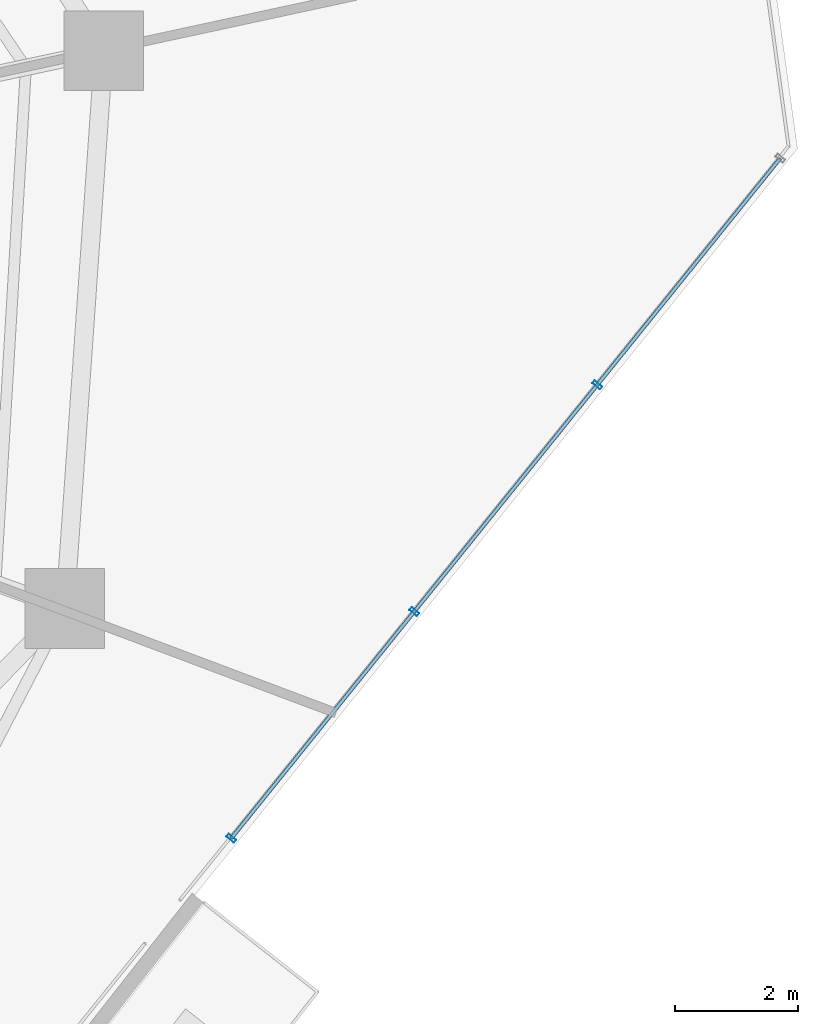
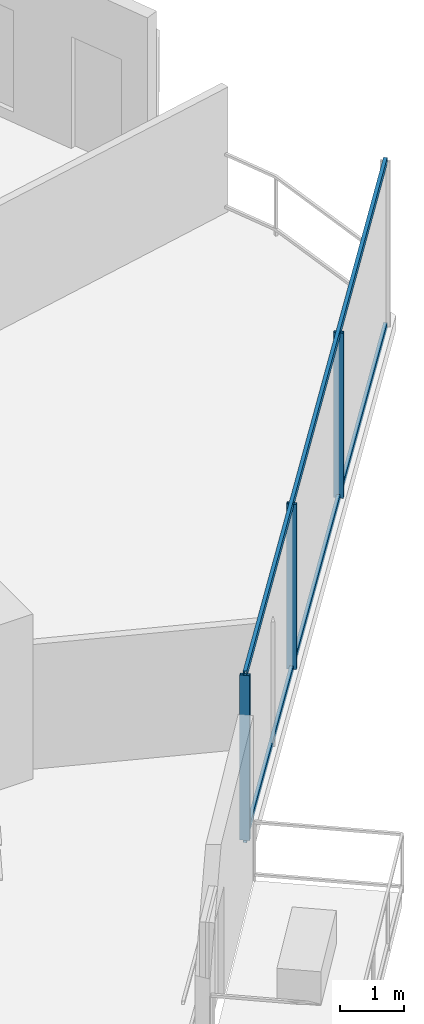
# One storey, part 13 of 32: 5 members, 1 element without a shape of its own.
"""IFC4 building model written with IfcOpenShell, lengths in metres."""

from ifc_helpers import new_model, si_unit, direction, frame, origin, origin_2d, place, context, subcontext, project, spatial, hollow_rectangle, extrude, material, layer, layer_set, material_profile, profile_set, type_object, element, aggregate, save


model = new_model("IFC4")

# Units and contexts
model_context = context("Model", 3, precision=1e-05, world=origin(), true_north=direction((0.0, 1.0)))
body_context = subcontext(model_context, "Body", "Model", "MODEL_VIEW")
ifc_project = project(units=[si_unit("LENGTHUNIT", "METRE"), si_unit("AREAUNIT", "SQUARE_METRE"), si_unit("VOLUMEUNIT", "CUBIC_METRE"), si_unit("PLANEANGLEUNIT", "RADIAN"), si_unit("MASSUNIT", "GRAM", prefix="KILO")], contexts=[model_context])

# Site, building, storey
site_placement = place(None, origin())
site = spatial("IfcSite", under=ifc_project, at=site_placement, CompositionType="ELEMENT")
building_placement = place(site_placement, origin())
building = spatial("IfcBuilding", under=site, at=building_placement, Name="Qarnah Convention Tower", CompositionType="ELEMENT")
storey_placement = place(building_placement, frame((0.0, 0.0, 37.35009765625)))
storey = spatial("IfcBuildingStorey", under=building, at=storey_placement, Name="L08", CompositionType="ELEMENT", Elevation=37.35009765625)

# Curtain wall, members
ifc_material_1 = material(Name="Tempered Low-E dark glass", Category="glass")
ifc_layer = layer(ifc_material_1, 0.16796875)
ifc_layer_set = layer_set([ifc_layer], Name="Tempered Low-E dark glass")
curtain_wall_type = type_object("IfcCurtainWallType", Name="CWS-01", PredefinedType="NOTDEFINED", material=ifc_layer_set)
curtain_wall_placement = place(storey_placement, origin())
curtain_wall = element("IfcCurtainWall", 1, at=curtain_wall_placement, inside=storey, type_object=curtain_wall_type, Name="L08 unitised curtain wall CW-L08-F3", PredefinedType="NOTDEFINED")
ifc_material_2 = material(Name="Black anodised aluminium", Category="aluminium")
ifc_material_profile_1 = material_profile(ifc_material_2, hollow_rectangle(XDim=0.06005859375, YDim=0.159912109375, WallThickness=0.00390625, at=origin_2d()), Name="MUL-60X160")
ifc_profile_set_1 = profile_set([ifc_material_profile_1], Name="Black anodised aluminium")
member_type_1 = type_object("IfcMemberType", Name="MUL-T1", PredefinedType="MULLION", material=ifc_profile_set_1)
member_1_placement = place(storey_placement, frame((61.4404296875, 24.388427734375, 0.0), z_axis=(0.0, 0.0, 1.0), x_axis=(-0.628142905709, -0.778097995119, 0.0)))
member_1 = element("IfcMember", 2, at=member_1_placement, type_object=member_type_1, Name="CW-L08-F3 mullion 2", PredefinedType="MULLION", context=body_context, shape_type="SweptSolid", body=[
    extrude(hollow_rectangle(XDim=0.06005859375, YDim=0.159912109375, WallThickness=0.00390625, at=origin_2d()), origin(), (0.0, 0.0, 1.0), 3.169921875),
])
member_2_placement = place(storey_placement, frame((58.45361328125, 20.688720703125, 0.0), z_axis=(0.0, 0.0, 1.0), x_axis=(-0.628142905709, -0.778097995119, 0.0)))
member_2 = element("IfcMember", 3, at=member_2_placement, type_object=member_type_1, Name="CW-L08-F3 mullion 3", PredefinedType="MULLION", context=body_context, shape_type="SweptSolid", body=[
    extrude(hollow_rectangle(XDim=0.06005859375, YDim=0.159912109375, WallThickness=0.00390625, at=origin_2d()), origin(), (0.0, 0.0, 1.0), 3.169921875),
])
member_3_placement = place(storey_placement, frame((55.467041015625, 16.989013671875, 0.0), z_axis=(0.0, 0.0, 1.0), x_axis=(-0.628142905709, -0.778097995119, 0.0)))
member_3 = element("IfcMember", 4, at=member_3_placement, type_object=member_type_1, Name="CW-L08-F3 mullion 4", PredefinedType="MULLION", context=body_context, shape_type="SweptSolid", body=[
    extrude(hollow_rectangle(XDim=0.06005859375, YDim=0.159912109375, WallThickness=0.00390625, at=origin_2d()), origin(), (0.0, 0.0, 1.0), 3.169921875),
])
ifc_material_profile_2 = material_profile(ifc_material_2, hollow_rectangle(XDim=0.06005859375, YDim=0.1298828125, WallThickness=0.00390625, at=origin_2d()), Name="TRN-60X130")
ifc_profile_set_2 = profile_set([ifc_material_profile_2], Name="Black anodised aluminium")
member_type_2 = type_object("IfcMemberType", Name="TRN-T1", PredefinedType="USERDEFINED", material=ifc_profile_set_2)
member_4_placement = place(storey_placement, frame((64.427001953125, 28.087890625, 0.0), z_axis=(-0.628145459828, -0.778095933222, 0.0), x_axis=(0.778095933222, -0.628145459828, 0.0)))
member_4 = element("IfcMember", 5, at=member_4_placement, type_object=member_type_2, Name="CW-L08-F3 transom 1", ObjectType="TRANSOM", PredefinedType="USERDEFINED", context=body_context, shape_type="SweptSolid", body=[
    extrude(hollow_rectangle(XDim=0.06005859375, YDim=0.1298828125, WallThickness=0.00390625, at=origin_2d()), origin(), (0.0, 0.0, 1.0), 14.26416015625),
])
member_5_placement = place(storey_placement, frame((64.427001953125, 28.087890625, 3.169921875), z_axis=(-0.628145459828, -0.778095933222, 0.0), x_axis=(0.778095933222, -0.628145459828, 0.0)))
member_5 = element("IfcMember", 6, at=member_5_placement, type_object=member_type_2, Name="CW-L08-F3 transom 2", ObjectType="TRANSOM", PredefinedType="USERDEFINED", context=body_context, shape_type="SweptSolid", body=[
    extrude(hollow_rectangle(XDim=0.06005859375, YDim=0.1298828125, WallThickness=0.00390625, at=origin_2d()), origin(), (0.0, 0.0, 1.0), 14.26416015625),
])
aggregate(curtain_wall, [member_1, member_2, member_3, member_4, member_5])

save(model, "model.ifc")
